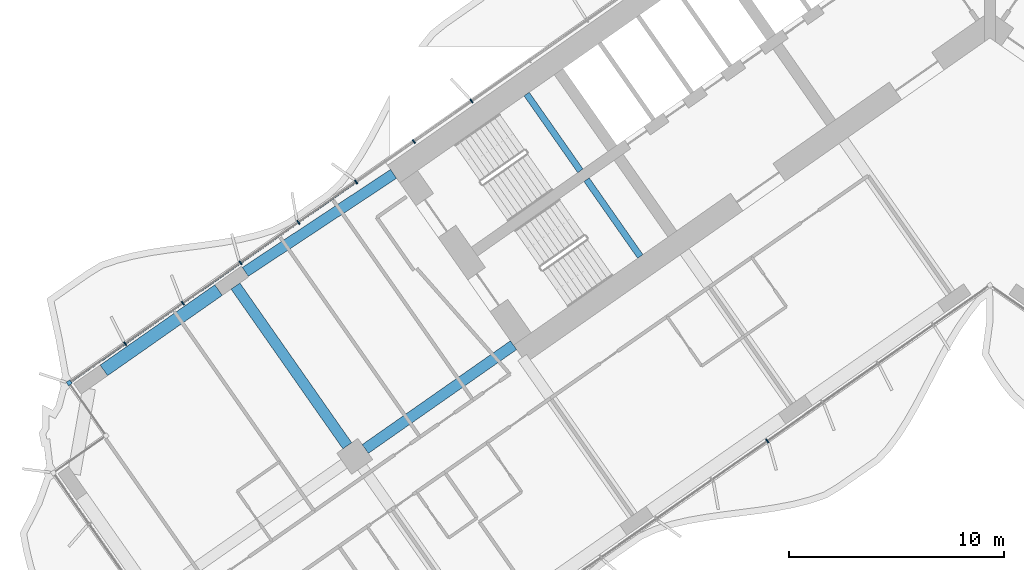
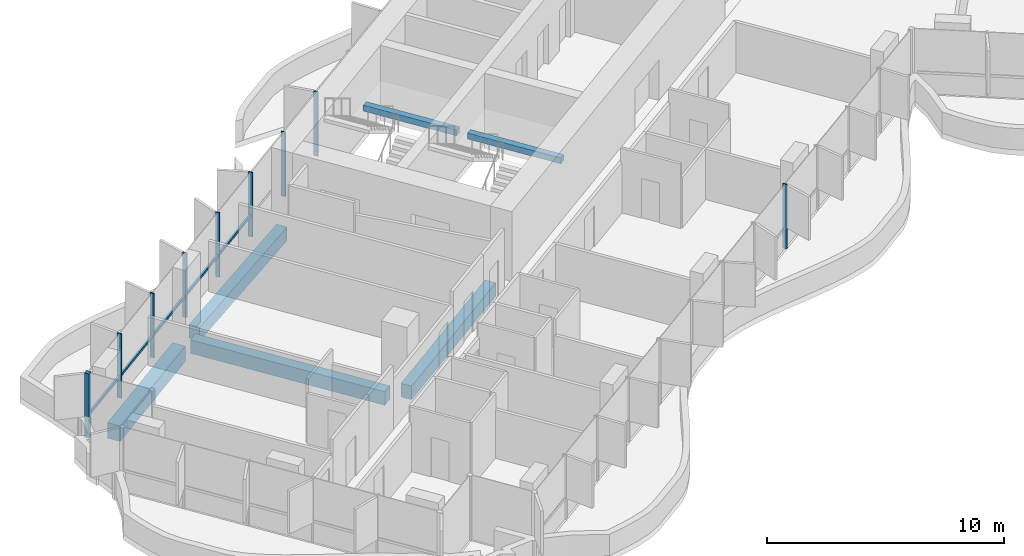
# One storey, part 4 of 24: 10 members, 6 beams, 2 elements without a shape of their own.
"""IFC4 building model written with IfcOpenShell, lengths in metres."""

import ifcopenshell
import ifcopenshell.guid

model = None  # the IFC model being written
_history = None  # IfcOwnerHistory: only IFC2X3 demands one
_inside = {}  # id of a spatial element -> (the spatial element, [elements in it])
_under = {}  # id of a project, library or spatial element -> (it, [spatial elements below it])
_declared = {}  # id of a project -> (the project, [libraries it declares])
_typed = {}  # id of a type object -> (the type object, [elements of that type])
_made_of = {}  # id of a material, layer set ... -> (it, [elements and type objects made of it])


def new_model(schema):
    """Start an empty IFC model of exactly this schema.

    Asked for "IFC4X3", IfcOpenShell would pick the latest addendum, in which some entities
    have other attributes; the version numbers below select the first issue.
    IFC2X3 requires an IfcOwnerHistory on every rooted entity: one is made here for all.
    """
    global model, _history
    if schema == "IFC4X3":
        model = ifcopenshell.file(schema_version=(4, 3, 0, 0))
    else:
        model = ifcopenshell.file(schema=schema)
    _inside.clear()
    _under.clear()
    _declared.clear()
    _typed.clear()
    _made_of.clear()
    _history = None
    if model.schema == "IFC2X3":
        org = make("IfcOrganization", Name="unknown")
        user = make(
            "IfcPersonAndOrganization",
            ThePerson=make("IfcPerson", FamilyName="unknown"),
            TheOrganization=org,
        )
        app = make(
            "IfcApplication",
            ApplicationDeveloper=org,
            Version="unknown",
            ApplicationFullName="unknown",
            ApplicationIdentifier="unknown",
        )
        _history = make(
            "IfcOwnerHistory",
            OwningUser=user,
            OwningApplication=app,
            ChangeAction="ADDED",
            CreationDate=0,
        )
    return model


def make(cls, **values):
    """One entity of the class cls with the attributes given. An attribute that is None is left unset."""
    return model.create_entity(
        cls, **{name: value for name, value in values.items() if value is not None}
    )


def rooted(cls, **values):
    """An entity with a GlobalId (a new one), such as an element, a storey or a relation."""
    return make(cls, GlobalId=ifcopenshell.guid.new(), OwnerHistory=_history, **values)


def si_unit(unit_type, name, prefix=None):
    """IfcSIUnit, for example si_unit("LENGTHUNIT", "METRE", prefix="MILLI")."""
    return make("IfcSIUnit", UnitType=unit_type, Prefix=prefix, Name=name)


def assignment(units):
    """IfcUnitAssignment: the units of a project."""
    return None if units is None else make("IfcUnitAssignment", Units=units)


def point(xyz):
    """IfcCartesianPoint."""
    return None if xyz is None else make("IfcCartesianPoint", Coordinates=xyz)


def direction(xyz):
    """IfcDirection."""
    return None if xyz is None else make("IfcDirection", DirectionRatios=xyz)


def frame(location, z_axis=None, x_axis=None):
    """IfcAxis2Placement3D, a coordinate frame: its origin and axes. An axis left out is left unset."""
    return make(
        "IfcAxis2Placement3D",
        Location=point(location),
        Axis=direction(z_axis),
        RefDirection=direction(x_axis),
    )


def frame_2d(location, x_axis=None):
    """IfcAxis2Placement2D, a coordinate frame in the plane: its origin and x axis."""
    return make(
        "IfcAxis2Placement2D", Location=point(location), RefDirection=direction(x_axis)
    )


def origin():
    """The frame at (0, 0, 0) with its axes left unset."""
    return frame((0.0, 0.0, 0.0))


def origin_2d():
    """The frame at (0, 0) in the plane with its x axis left unset."""
    return frame_2d((0.0, 0.0))


def place(relative_to, where):
    """IfcLocalPlacement: puts the frame where relative to a parent placement (None: the world)."""
    return make(
        "IfcLocalPlacement", PlacementRelTo=relative_to, RelativePlacement=where
    )


def context(
    kind, dimensions, precision=None, world=None, true_north=None, identifier=None
):
    """IfcGeometricRepresentationContext, for example the 3D "Model" context."""
    return make(
        "IfcGeometricRepresentationContext",
        ContextIdentifier=identifier,
        ContextType=kind,
        CoordinateSpaceDimension=dimensions,
        Precision=precision,
        WorldCoordinateSystem=world,
        TrueNorth=true_north,
    )


def subcontext(parent, identifier, kind, view, scale=None):
    """IfcGeometricRepresentationSubContext, for example "Body" below "Model"."""
    return make(
        "IfcGeometricRepresentationSubContext",
        ContextIdentifier=identifier,
        ContextType=kind,
        ParentContext=parent,
        TargetScale=scale,
        TargetView=view,
    )


def project(units=None, contexts=None):
    """IfcProject with its units and contexts."""
    return rooted(
        "IfcProject",
        Name="project",
        RepresentationContexts=contexts,
        UnitsInContext=assignment(units),
    )


def spatial(cls, under=None, at=None, **own):
    """A site, building, storey or space (cls), placed at a placement, below another one or the project."""
    s = rooted(cls, ObjectPlacement=at, **own)
    if under is not None:
        _under.setdefault(under.id(), (under, []))[1].append(s)
    return s


def profile(cls, at=None, kind="AREA", **sizes):
    """A parametric profile (cls). Its sizes go by their IFC names, for example OverallWidth=200.0."""
    return make(cls, ProfileType=kind, Position=at, **sizes)


def rectangle(**sizes):
    """IfcRectangleProfileDef."""
    return profile("IfcRectangleProfileDef", **sizes)


def extrude(swept, where, along, depth):
    """IfcExtrudedAreaSolid: the profile swept, set in the frame where, extruded along a direction by depth."""
    return make(
        "IfcExtrudedAreaSolid",
        SweptArea=swept,
        Position=where,
        ExtrudedDirection=direction(along),
        Depth=depth,
    )


def shape(context_of_items, identifier, shape_type, items):
    """IfcShapeRepresentation: the items that make up one representation, for example the "Body"."""
    return make(
        "IfcShapeRepresentation",
        ContextOfItems=context_of_items,
        RepresentationIdentifier=identifier,
        RepresentationType=shape_type,
        Items=items,
    )


def material(Name=None, Category=None):
    """IfcMaterial."""
    return make("IfcMaterial", Name=Name, Category=Category)


def material_profile(
    of_material, cross_section, Name=None, Category=None, Priority=None
):
    """IfcMaterialProfile: a cross section and its material."""
    return make(
        "IfcMaterialProfile",
        Name=Name,
        Material=of_material,
        Profile=cross_section,
        Priority=Priority,
        Category=Category,
    )


def profile_set(profiles, Name=None, composite=None):
    """IfcMaterialProfileSet."""
    return make(
        "IfcMaterialProfileSet",
        Name=Name,
        MaterialProfiles=profiles,
        CompositeProfile=composite,
    )


def made_of(thing, what):
    """Note that an element or type object is made of a material, layer set ...; save() writes the relation."""
    if what is not None:
        _made_of.setdefault(what.id(), (what, []))[1].append(thing)
    return thing


def type_object(cls, material=None, **own):
    """A type object (cls), such as IfcWallType, which elements share."""
    return made_of(rooted(cls, **own), material)


def element(
    cls,
    number,
    at=None,
    inside=None,
    cuts=None,
    type_object=None,
    material=None,
    context=None,
    identifier="Body",
    shape_type=None,
    held_by="IfcProductDefinitionShape",
    body=None,
    shapes=None,
    **own,
):
    """One element of the class cls, such as IfcWall. Its Tag is "e" and its number.

    at: its placement. inside: the storey or other place that contains it. cuts: it is an
    opening in that element (IfcRelVoidsElement). A single representation is given by context,
    identifier, shape_type and body (its items); several are given by shapes. held_by: the class
    of the entity that holds the representations. save() writes the other relations.
    """
    e = rooted(cls, Tag="e%d" % number, ObjectPlacement=at, **own)
    if body is not None:
        shapes = [shape(context, identifier, shape_type, body)]
    if shapes is not None:
        e.Representation = make(held_by, Representations=shapes)
    if inside is not None:
        _inside.setdefault(inside.id(), (inside, []))[1].append(e)
    if cuts is not None:
        rooted(
            "IfcRelVoidsElement", RelatingBuildingElement=cuts, RelatedOpeningElement=e
        )
    if type_object is not None:
        _typed.setdefault(type_object.id(), (type_object, []))[1].append(e)
    return made_of(e, material)


def aggregate(whole, parts):
    """IfcRelAggregates: a whole, such as a stair, and the parts it consists of."""
    return rooted("IfcRelAggregates", RelatingObject=whole, RelatedObjects=parts)


def save(model, path):
    """Write the relations noted so far, then the file.

    IfcRelAggregates (storeys below a building ...), IfcRelContainedInSpatialStructure (elements
    in a storey), IfcRelDefinesByType, IfcRelAssociatesMaterial and IfcRelDeclares: one each for
    every whole, place, type object, material and project.
    """
    for whole, parts in _under.values():
        aggregate(whole, parts)
    for where, things in _inside.values():
        rooted(
            "IfcRelContainedInSpatialStructure",
            RelatedElements=things,
            RelatingStructure=where,
        )
    for kind, things in _typed.values():
        rooted("IfcRelDefinesByType", RelatedObjects=things, RelatingType=kind)
    for what, things in _made_of.values():
        rooted("IfcRelAssociatesMaterial", RelatedObjects=things, RelatingMaterial=what)
    for by, libraries in _declared.values():
        rooted("IfcRelDeclares", RelatingContext=by, RelatedDefinitions=libraries)
    model.write(path)


model = new_model("IFC4")

# Units and contexts
model_context = context("Model", 3, precision=1e-05, world=origin(), true_north=direction((0.0, 1.0)))
body_context = subcontext(model_context, "Body", "Model", "MODEL_VIEW")
ifc_project = project(units=[si_unit("LENGTHUNIT", "METRE"), si_unit("AREAUNIT", "SQUARE_METRE"), si_unit("VOLUMEUNIT", "CUBIC_METRE"), si_unit("PLANEANGLEUNIT", "RADIAN"), si_unit("MASSUNIT", "GRAM", prefix="KILO")], contexts=[model_context])

# Site, building, storey
site_placement = place(None, origin())
site = spatial("IfcSite", under=ifc_project, at=site_placement, CompositionType="ELEMENT")
building_placement = place(site_placement, origin())
building = spatial("IfcBuilding", under=site, at=building_placement, Name="Tel Ilan Convention Tower", CompositionType="ELEMENT")
storey_placement = place(building_placement, frame((0.0, 0.0, 72.5)))
storey = spatial("IfcBuildingStorey", under=building, at=storey_placement, Name="L13", CompositionType="ELEMENT", Elevation=72.5)

# Beams
ifc_material_1 = material(Name="Concrete C40/50", Category="concrete")
ifc_material_profile_1 = material_profile(ifc_material_1, rectangle(XDim=0.5, YDim=0.699951171875, at=origin_2d()), Name="RC 500x700")
ifc_profile_set_1 = profile_set([ifc_material_profile_1], Name="Concrete C40/50")
beam_type_1 = type_object("IfcBeamType", Name="Beam RC 500x700 Concrete C40/50", PredefinedType="BEAM", material=ifc_profile_set_1)
beam_1_placement = place(storey_placement, frame((-34.570556640625, -12.08447265625, -0.6298828125), z_axis=(0.834273603487, 0.551350663847, 0.0), x_axis=(-0.551350663847, 0.834273603487, 0.0)))
element("IfcBeam", 1, at=beam_1_placement, inside=storey, type_object=beam_type_1, Name="L13 beam W-W-B4-core", PredefinedType="BEAM", context=body_context, shape_type="SweptSolid", body=[
    extrude(rectangle(XDim=0.5, YDim=0.699951171875, at=origin_2d()), origin(), (0.0, 0.0, 1.0), 8.2529296875),
])
beam_2_placement = place(storey_placement, frame((-22.1171875, -15.486572265625, -0.6298828125), z_axis=(-0.819147254605, -0.573583276668, 0.0), x_axis=(0.573583276668, -0.819147254605, 0.0)))
element("IfcBeam", 2, at=beam_2_placement, inside=storey, type_object=beam_type_1, Name="L13 beam W-core-W-M4", PredefinedType="BEAM", context=body_context, shape_type="SweptSolid", body=[
    extrude(rectangle(XDim=0.5, YDim=0.699951171875, at=origin_2d()), origin(), (0.0, 0.0, 1.0), 8.400146484375),
])
beam_3_placement = place(storey_placement, frame((-29.83349609375, -20.1572265625, -0.6298828125), z_axis=(-0.57358002233, 0.819149533348, 0.0), x_axis=(-0.819149533348, -0.57358002233, 0.0)))
element("IfcBeam", 3, at=beam_3_placement, inside=storey, type_object=beam_type_1, Name="L13 beam W-W-M4-W-B4", PredefinedType="BEAM", context=body_context, shape_type="SweptSolid", body=[
    extrude(rectangle(XDim=0.5, YDim=0.699951171875, at=origin_2d()), origin(), (0.0, 0.0, 1.0), 9.050048828125),
])
ifc_material_2 = material(Name="Concrete C40/50", Category="concrete")
ifc_material_profile_2 = material_profile(ifc_material_2, rectangle(XDim=0.60009765625, YDim=0.800048828125, at=origin_2d()), Name="RC 600x800")
ifc_profile_set_2 = profile_set([ifc_material_profile_2], Name="Concrete C40/50")
beam_type_2 = type_object("IfcBeamType", Name="Beam RC 600x800 Concrete C40/50", PredefinedType="BEAM", material=ifc_profile_set_2)
beam_4_placement = place(storey_placement, frame((-41.135498046875, -16.656494140625, -0.679931640625), z_axis=(0.819178980414, 0.573537965655, 0.0), x_axis=(-0.573537965655, 0.819178980414, 0.0)))
element("IfcBeam", 4, at=beam_4_placement, inside=storey, type_object=beam_type_2, Name="L13 beam W-W-BC-W-B4", PredefinedType="BEAM", context=body_context, shape_type="SweptSolid", body=[
    extrude(rectangle(XDim=0.60009765625, YDim=0.800048828125, at=origin_2d()), origin(), (0.0, 0.0, 1.0), 6.5),
])

# Curtain wall, member
ifc_material_3 = material(Name="Aluminium, bronze anodised", Category="aluminium")
curtain_wall_type_1 = type_object("IfcCurtainWallType", Name="CW1 UNITISED CURTAIN WALL, HOTEL TINTED GLASS", PredefinedType="NOTDEFINED", material=ifc_material_3)
curtain_wall_1_placement = place(storey_placement, origin())
curtain_wall_1 = element("IfcCurtainWall", 5, at=curtain_wall_1_placement, inside=storey, type_object=curtain_wall_type_1, Name="Curtain wall CW1-13.02", PredefinedType="NOTDEFINED")
ifc_material_4 = material(Name="Aluminium, bronze anodised", Category="aluminium")
ifc_material_profile_3 = material_profile(ifc_material_4, rectangle(XDim=0.199951171875, YDim=0.199951171875, at=origin_2d()), Name="CW CORNER MULLION 200x200")
ifc_profile_set_3 = profile_set([ifc_material_profile_3], Name="Aluminium, bronze anodised")
member_type_1 = type_object("IfcMemberType", Name="CW CORNER MULLION 200x200", PredefinedType="MULLION", material=ifc_profile_set_3)
member_1_placement = place(storey_placement, frame((-42.7451171875, -17.234375, 0.0), z_axis=(0.0, 0.0, 1.0), x_axis=(-0.819152044289, -0.573576436351, 0.0)))
member_1 = element("IfcMember", 6, at=member_1_placement, type_object=member_type_1, Name="Corner mullion", PredefinedType="MULLION", context=body_context, shape_type="SweptSolid", body=[
    extrude(rectangle(XDim=0.199951171875, YDim=0.199951171875, at=origin_2d()), origin(), (0.0, 0.0, 1.0), 3.320068359375),
])

# Curtain wall, members
ifc_material_5 = material(Name="Aluminium, bronze anodised", Category="aluminium")
curtain_wall_type_2 = type_object("IfcCurtainWallType", Name="CW2 STICK CURTAIN WALL, SPANDREL PANELS", PredefinedType="NOTDEFINED", material=ifc_material_5)
curtain_wall_2_placement = place(storey_placement, origin())
curtain_wall_2 = element("IfcCurtainWall", 7, at=curtain_wall_2_placement, inside=storey, type_object=curtain_wall_type_2, Name="Curtain wall CW2-13.01", PredefinedType="NOTDEFINED")
ifc_material_6 = material(Name="Aluminium, bronze anodised", Category="aluminium")
ifc_material_profile_4 = material_profile(ifc_material_6, rectangle(XDim=0.06005859375, YDim=0.199951171875, at=origin_2d()), Name="CW MULLION 60x200")
ifc_profile_set_4 = profile_set([ifc_material_profile_4], Name="Aluminium, bronze anodised")
member_type_2 = type_object("IfcMemberType", Name="CW MULLION 60x200", PredefinedType="MULLION", material=ifc_profile_set_4)
member_2_placement = place(storey_placement, frame((-24.065185546875, -4.154541015625, 0.0), z_axis=(0.0, 0.0, 1.0), x_axis=(-0.819152044289, -0.573576436351, 0.0)))
member_2 = element("IfcMember", 8, at=member_2_placement, type_object=member_type_2, Name="Mullion", PredefinedType="MULLION", context=body_context, shape_type="SweptSolid", body=[
    extrude(rectangle(XDim=0.06005859375, YDim=0.199951171875, at=origin_2d()), origin(), (0.0, 0.0, 1.0), 3.320068359375),
])
member_3_placement = place(storey_placement, frame((-26.745361328125, -6.03125, 0.0), z_axis=(0.0, 0.0, 1.0), x_axis=(-0.819152044289, -0.573576436351, 0.0)))
member_3 = element("IfcMember", 9, at=member_3_placement, type_object=member_type_2, Name="Mullion", PredefinedType="MULLION", context=body_context, shape_type="SweptSolid", body=[
    extrude(rectangle(XDim=0.06005859375, YDim=0.199951171875, at=origin_2d()), origin(), (0.0, 0.0, 1.0), 3.320068359375),
])
member_4_placement = place(storey_placement, frame((-29.42578125, -7.907958984375, 0.0), z_axis=(0.0, 0.0, 1.0), x_axis=(-0.819152044289, -0.573576436351, 0.0)))
member_4 = element("IfcMember", 10, at=member_4_placement, type_object=member_type_2, Name="Mullion", PredefinedType="MULLION", context=body_context, shape_type="SweptSolid", body=[
    extrude(rectangle(XDim=0.06005859375, YDim=0.199951171875, at=origin_2d()), origin(), (0.0, 0.0, 1.0), 3.320068359375),
])
aggregate(curtain_wall_2, [member_2, member_3, member_4])

# Member
member_5_placement = place(storey_placement, frame((-32.10595703125, -9.78466796875, 0.0), z_axis=(0.0, 0.0, 1.0), x_axis=(-0.819152044289, -0.573576436351, 0.0)))
member_5 = element("IfcMember", 11, at=member_5_placement, type_object=member_type_2, Name="Mullion", PredefinedType="MULLION", context=body_context, shape_type="SweptSolid", body=[
    extrude(rectangle(XDim=0.06005859375, YDim=0.199951171875, at=origin_2d()), origin(), (0.0, 0.0, 1.0), 3.320068359375),
])

member_6_placement = place(storey_placement, frame((-34.7861328125, -11.66162109375, 0.0), z_axis=(0.0, 0.0, 1.0), x_axis=(-0.819152044289, -0.573576436351, 0.0)))
member_6 = element("IfcMember", 12, at=member_6_placement, type_object=member_type_2, Name="Mullion", PredefinedType="MULLION", context=body_context, shape_type="SweptSolid", body=[
    extrude(rectangle(XDim=0.06005859375, YDim=0.199951171875, at=origin_2d()), origin(), (0.0, 0.0, 1.0), 3.320068359375),
])

member_7_placement = place(storey_placement, frame((-37.466552734375, -13.538330078125, 0.0), z_axis=(0.0, 0.0, 1.0), x_axis=(-0.819152044289, -0.573576436351, 0.0)))
member_7 = element("IfcMember", 13, at=member_7_placement, type_object=member_type_2, Name="Mullion", PredefinedType="MULLION", context=body_context, shape_type="SweptSolid", body=[
    extrude(rectangle(XDim=0.06005859375, YDim=0.199951171875, at=origin_2d()), origin(), (0.0, 0.0, 1.0), 3.320068359375),
])

member_8_placement = place(storey_placement, frame((-40.146728515625, -15.4150390625, 0.0), z_axis=(0.0, 0.0, 1.0), x_axis=(-0.819152044289, -0.573576436351, 0.0)))
member_8 = element("IfcMember", 14, at=member_8_placement, type_object=member_type_2, Name="Mullion", PredefinedType="MULLION", context=body_context, shape_type="SweptSolid", body=[
    extrude(rectangle(XDim=0.06005859375, YDim=0.199951171875, at=origin_2d()), origin(), (0.0, 0.0, 1.0), 3.320068359375),
])

member_9_placement = place(storey_placement, frame((-10.337158203125, -19.93408203125, 0.0), z_axis=(0.0, 0.0, 1.0), x_axis=(0.819152044289, 0.573576436351, 0.0)))
member_9 = element("IfcMember", 15, at=member_9_placement, type_object=member_type_2, Name="Mullion", PredefinedType="MULLION", context=body_context, shape_type="SweptSolid", body=[
    extrude(rectangle(XDim=0.06005859375, YDim=0.199951171875, at=origin_2d()), origin(), (0.0, 0.0, 1.0), 3.320068359375),
])

ifc_material_7 = material(Name="Aluminium, bronze anodised", Category="aluminium")
ifc_material_profile_5 = material_profile(ifc_material_7, rectangle(XDim=0.10009765625, YDim=0.1201171875, at=origin_2d()), Name="CW TRANSOM 100x120")
ifc_profile_set_5 = profile_set([ifc_material_profile_5], Name="Aluminium, bronze anodised")
member_type_3 = type_object("IfcMemberType", Name="CW TRANSOM 100x120", PredefinedType="USERDEFINED", material=ifc_profile_set_5)
member_10_placement = place(storey_placement, frame((-29.4501953125, -7.92529296875, 1.10009765625), z_axis=(-0.819153693934, -0.573574080407, 0.0), x_axis=(0.573574080407, -0.819153693934, 0.0)))
member_10 = element("IfcMember", 16, at=member_10_placement, type_object=member_type_3, Name="Transom", ObjectType="TRANSOM", PredefinedType="USERDEFINED", context=body_context, shape_type="SweptSolid", body=[
    extrude(rectangle(XDim=0.10009765625, YDim=0.1201171875, at=origin_2d()), origin(), (0.0, 0.0, 1.0), 16.1298828125),
])

aggregate(curtain_wall_1, [member_5, member_6, member_7, member_8, member_1, member_10, member_9])

# Beams
ifc_material_8 = material(Name="Concrete C40/50", Category="concrete")
ifc_material_profile_6 = material_profile(ifc_material_8, rectangle(XDim=0.300048828125, YDim=0.300048828125, at=origin_2d()), Name="RC 300x300")
ifc_profile_set_6 = profile_set([ifc_material_profile_6], Name="Concrete C40/50")
beam_type_3 = type_object("IfcBeamType", Name="Landing Beam RC 300x300 Concrete C40/50", PredefinedType="BEAM", material=ifc_profile_set_6)
beam_5_placement = place(storey_placement, frame((-19.013671875, -7.392822265625, 1.449951171875), z_axis=(-0.57356780395, 0.819158088694, 0.0), x_axis=(-0.819158088694, -0.57356780395, 0.0)))
element("IfcBeam", 17, at=beam_5_placement, inside=storey, type_object=beam_type_3, Name="S1 landing beam L13.1", PredefinedType="BEAM", context=body_context, shape_type="SweptSolid", body=[
    extrude(rectangle(XDim=0.300048828125, YDim=0.300048828125, at=origin_2d()), origin(), (0.0, 0.0, 1.0), 4.35009765625),
])
beam_6_placement = place(storey_placement, frame((-16.231689453125, -11.365478515625, 1.449951171875), z_axis=(-0.573594173421, 0.819139624372, 0.0), x_axis=(-0.819139624372, -0.573594173421, 0.0)))
element("IfcBeam", 18, at=beam_6_placement, inside=storey, type_object=beam_type_3, Name="S2 landing beam L13.1", PredefinedType="BEAM", context=body_context, shape_type="SweptSolid", body=[
    extrude(rectangle(XDim=0.300048828125, YDim=0.300048828125, at=origin_2d()), origin(), (0.0, 0.0, 1.0), 4.349853515625),
])

save(model, "model.ifc")
